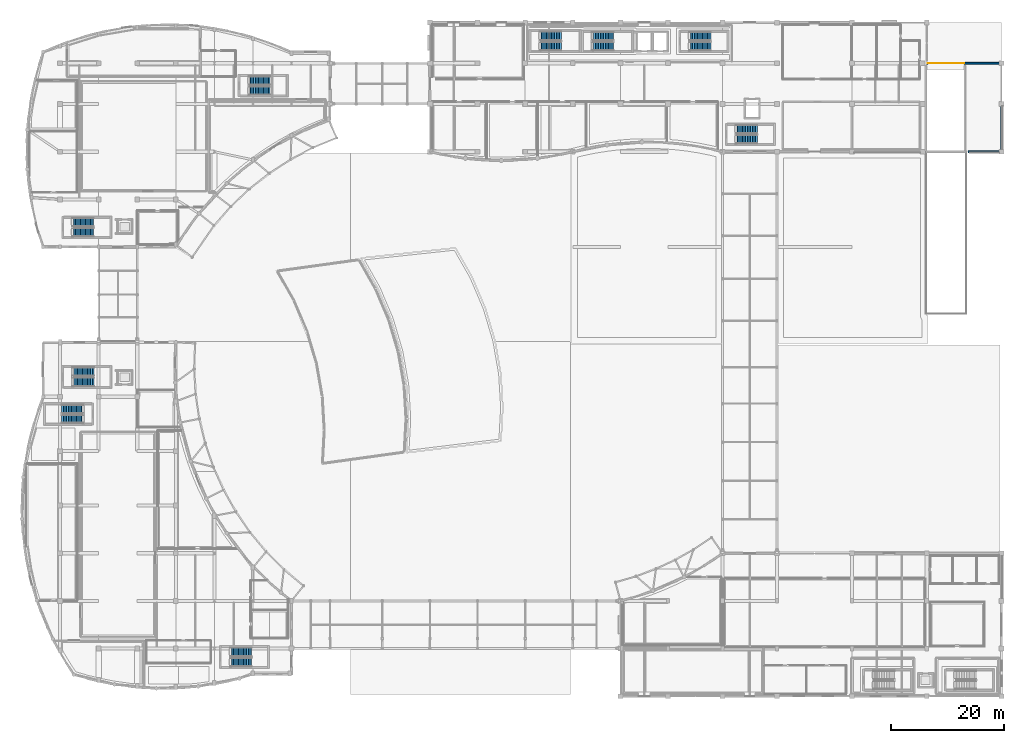
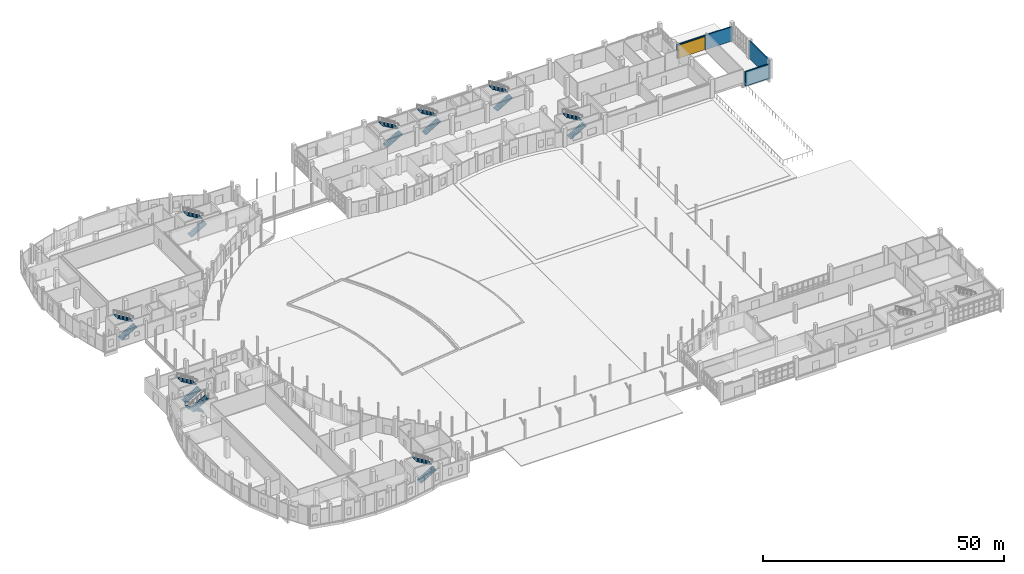
# One storey, part 73 of 97: 18 stair flights, 3 walls, 1 door, 1 opening, 9 elements without a shape of their own.
"""IFC4 building model written with IfcOpenShell, lengths in metres."""

from ifc_helpers import new_model, si_unit, direction, frame, frame_2d, origin, place, context, subcontext, project, spatial, polyline, rectangle, outline, extrude, material, layer, layer_set, type_object, element, fill, aggregate, save


model = new_model("IFC4")

# Units and contexts
model_context = context("Model", 3, precision=1e-05, world=origin(), true_north=direction((0.0, 1.0)))
body_context = subcontext(model_context, "Body", "Model", "MODEL_VIEW")
ifc_project = project(units=[si_unit("LENGTHUNIT", "METRE"), si_unit("AREAUNIT", "SQUARE_METRE"), si_unit("VOLUMEUNIT", "CUBIC_METRE"), si_unit("PLANEANGLEUNIT", "RADIAN"), si_unit("MASSUNIT", "GRAM", prefix="KILO")], contexts=[model_context])

# Site, building, storey
site_placement = place(None, origin())
site = spatial("IfcSite", under=ifc_project, at=site_placement, CompositionType="ELEMENT")
building_placement = place(site_placement, origin())
building = spatial("IfcBuilding", under=site, at=building_placement, Name="Kisaragi Civic Commons", CompositionType="ELEMENT")
storey_placement = place(building_placement, origin())
storey = spatial("IfcBuildingStorey", under=building, at=storey_placement, Name="L00", CompositionType="ELEMENT", Elevation=0.0)

# Wall, opening, door
ifc_material_1 = material(Name="Insulated Tokoname terracotta cavity wall", Category="masonry")
ifc_layer = layer(ifc_material_1, 0.31005859375, Name="Insulated Tokoname terracotta cavity wall", Category="masonry")
ifc_layer_set = layer_set([ifc_layer], Name="Insulated Tokoname terracotta cavity wall")
wall_type = type_object("IfcWallType", Name="EW-05", PredefinedType="STANDARD", material=ifc_layer_set)
wall_1_placement = place(storey_placement, frame((159.60009765625, 111.60009765625, 0.0), z_axis=(0.0, 0.0, 1.0), x_axis=(1.0, 0.0, 0.0)))
wall_1 = element("IfcWall", 1, at=wall_1_placement, inside=storey, type_object=wall_type, Name="V4 L00 exterior terracotta wall EW-05 283", PredefinedType="STANDARD", context=body_context, shape_type="SweptSolid", body=[
    extrude(rectangle(XDim=13.199951171875, YDim=0.31005859375, at=frame_2d((6.60009765625, 0.0))), origin(), (0.0, 0.0, 1.0), 3.64990234375),
])
opening_placement = place(wall_1_placement, frame((0.14990234375, 0.0, 0.0)))
opening = element("IfcOpeningElement", 2, at=opening_placement, cuts=wall_1, Name="Opening VG-01", PredefinedType="OPENING", context=body_context, shape_type="SweptSolid", body=[
    extrude(rectangle(XDim=6.5, YDim=3.39990234375, at=frame_2d((3.25, 1.699951171875))), frame((0.0, 0.1650390625, 0.0), z_axis=(0.0, -1.0, 0.0), x_axis=(1.0, 0.0, 0.0)), (0.0, 0.0, 1.0), 0.330078125),
])
ifc_material_2 = material(Name="Galvanized steel insulated rolling shutter", Category="steel")
door_type = type_object("IfcDoorType", Name="VG-01", OperationType="NOTDEFINED", PredefinedType="GATE", material=ifc_material_2)
door_placement = place(opening_placement, origin())
door = element("IfcDoor", 3, at=door_placement, inside=storey, type_object=door_type, Name="Basement car park roller shutter gate VG-01", OperationType="ROLLINGUP", OverallHeight=3.39990234375, OverallWidth=6.5, PredefinedType="GATE", context=body_context, shape_type="SweptSolid", body=[
    extrude(rectangle(XDim=6.5, YDim=3.39990234375, at=frame_2d((3.25, 1.699951171875))), frame((0.0, 0.02490234375, 0.0), z_axis=(0.0, -1.0, 0.0), x_axis=(1.0, 0.0, 0.0)), (0.0, 0.0, 1.0), 0.050048828125),
])
fill(opening, door)

# Walls
wall_2_placement = place(storey_placement, frame((172.800048828125, 104.39990234375, 0.0), z_axis=(0.0, 0.0, 1.0), x_axis=(0.0, -1.0, 0.0)))
element("IfcWall", 4, at=wall_2_placement, inside=storey, type_object=wall_type, Name="V4 L00 exterior terracotta wall EW-05 284", PredefinedType="STANDARD", context=body_context, shape_type="SweptSolid", body=[
    extrude(rectangle(XDim=8.39990234375, YDim=0.31005859375, at=frame_2d((4.199951171875, 0.0))), origin(), (0.0, 0.0, 1.0), 4.52001953125),
])
wall_3_placement = place(storey_placement, frame((172.800048828125, 96.0, 0.0), z_axis=(0.0, 0.0, 1.0), x_axis=(-1.0, 0.0, 0.0)))
element("IfcWall", 5, at=wall_3_placement, inside=storey, type_object=wall_type, Name="V4 L00 exterior terracotta wall EW-05 285", PredefinedType="STANDARD", context=body_context, shape_type="SweptSolid", body=[
    extrude(rectangle(XDim=5.900146484375, YDim=0.31005859375, at=frame_2d((2.9501953125, 0.0))), origin(), (0.0, 0.0, 1.0), 3.669921875),
])

# Stair, stair flights
ifc_material_3 = material(Name="Concrete Fc30", Category="concrete")
stair_type_1 = type_object("IfcStairType", Name="ST-A", PredefinedType="HALF_TURN_STAIR", material=ifc_material_3)
stair_1_placement = place(storey_placement, origin())
stair_1 = element("IfcStair", 6, at=stair_1_placement, inside=storey, type_object=stair_type_1, Name="L00 Stair ST-L1", PredefinedType="HALF_TURN_STAIR")
stair_flight_type_1 = type_object("IfcStairFlightType", Name="STF-A", PredefinedType="STRAIGHT", material=ifc_material_3)
stair_flight_1_placement = place(storey_placement, frame((100.60009765625, 114.574951171875, 0.0), z_axis=(0.0, 0.0, 1.0), x_axis=(1.0, 0.0, 0.0)))
stair_flight_1 = element("IfcStairFlight", 7, at=stair_flight_1_placement, type_object=stair_flight_type_1, Name="ST-L1 flight 1", NumberOfRisers=14, NumberOfTreads=13, PredefinedType="STRAIGHT", RiserHeight=0.171428571, TreadLength=0.29, context=body_context, shape_type="SweptSolid", body=[
    extrude(outline(polyline([(0.0, 0.0), (0.0, 0.17138671875), (0.2900390625, 0.17138671875), (0.2900390625, 0.3427734375), (0.580078125, 0.3427734375), (0.580078125, 0.514404296875), (0.8701171875, 0.514404296875), (0.8701171875, 0.685791015625), (1.159912109375, 0.685791015625), (1.159912109375, 0.857177734375), (1.449951171875, 0.857177734375), (1.449951171875, 1.028564453125), (1.739990234375, 1.028564453125), (1.739990234375, 1.199951171875), (2.030029296875, 1.199951171875), (2.030029296875, 1.371337890625), (2.320068359375, 1.371337890625), (2.320068359375, 1.54296875), (2.610107421875, 1.54296875), (2.610107421875, 1.71435546875), (2.89990234375, 1.71435546875), (2.89990234375, 1.8857421875), (3.18994140625, 1.8857421875), (3.18994140625, 2.05712890625), (3.47998046875, 2.05712890625), (3.47998046875, 2.228515625), (3.77001953125, 2.228515625), (3.77001953125, 2.39990234375), (3.77001953125, 2.01953125), (0.353515625, 0.0), (0.0, 0.0)])), frame((0.0, 0.77490234375, 0.0), z_axis=(0.0, -1.0, 0.0), x_axis=(1.0, 0.0, 0.0)), (0.0, 0.0, 1.0), 1.550048828125),
])
stair_flight_2_placement = place(storey_placement, frame((104.3701171875, 116.324951171875, 2.39990234375), z_axis=(0.0, 0.0, 1.0), x_axis=(-1.0, 0.0, 0.0)))
stair_flight_2 = element("IfcStairFlight", 8, at=stair_flight_2_placement, type_object=stair_flight_type_1, Name="ST-L1 flight 2", NumberOfRisers=14, NumberOfTreads=13, PredefinedType="STRAIGHT", RiserHeight=0.171428571, TreadLength=0.29, context=body_context, shape_type="SweptSolid", body=[
    extrude(outline(polyline([(0.0, 0.0), (0.0, 0.17138671875), (0.2900390625, 0.17138671875), (0.2900390625, 0.3427734375), (0.580078125, 0.3427734375), (0.580078125, 0.514404296875), (0.8701171875, 0.514404296875), (0.8701171875, 0.685791015625), (1.159912109375, 0.685791015625), (1.159912109375, 0.857177734375), (1.449951171875, 0.857177734375), (1.449951171875, 1.028564453125), (1.739990234375, 1.028564453125), (1.739990234375, 1.199951171875), (2.030029296875, 1.199951171875), (2.030029296875, 1.371337890625), (2.320068359375, 1.371337890625), (2.320068359375, 1.54296875), (2.610107421875, 1.54296875), (2.610107421875, 1.71435546875), (2.89990234375, 1.71435546875), (2.89990234375, 1.8857421875), (3.18994140625, 1.8857421875), (3.18994140625, 2.05712890625), (3.47998046875, 2.05712890625), (3.47998046875, 2.228515625), (3.77001953125, 2.228515625), (3.77001953125, 2.39990234375), (3.77001953125, 2.01953125), (0.353515625, 0.0), (0.0, 0.0)])), frame((0.0, 0.77490234375, 0.0), z_axis=(0.0, -1.0, 0.0), x_axis=(1.0, 0.0, 0.0)), (0.0, 0.0, 1.0), 1.550048828125),
])
aggregate(stair_1, [stair_flight_1, stair_flight_2])

stair_2_placement = place(storey_placement, origin())
stair_2 = element("IfcStair", 9, at=stair_2_placement, inside=storey, type_object=stair_type_1, Name="L00 Stair ST-L2", PredefinedType="HALF_TURN_STAIR")
stair_flight_3_placement = place(storey_placement, frame((117.75, 114.574951171875, 0.0), z_axis=(0.0, 0.0, 1.0), x_axis=(1.0, 0.0, 0.0)))
stair_flight_3 = element("IfcStairFlight", 10, at=stair_flight_3_placement, type_object=stair_flight_type_1, Name="ST-L2 flight 1", NumberOfRisers=14, NumberOfTreads=13, PredefinedType="STRAIGHT", RiserHeight=0.171428571, TreadLength=0.29, context=body_context, shape_type="SweptSolid", body=[
    extrude(outline(polyline([(0.0, 0.0), (0.0, 0.17138671875), (0.2900390625, 0.17138671875), (0.2900390625, 0.3427734375), (0.580078125, 0.3427734375), (0.580078125, 0.514404296875), (0.8701171875, 0.514404296875), (0.8701171875, 0.685791015625), (1.159912109375, 0.685791015625), (1.159912109375, 0.857177734375), (1.449951171875, 0.857177734375), (1.449951171875, 1.028564453125), (1.739990234375, 1.028564453125), (1.739990234375, 1.199951171875), (2.030029296875, 1.199951171875), (2.030029296875, 1.371337890625), (2.320068359375, 1.371337890625), (2.320068359375, 1.54296875), (2.610107421875, 1.54296875), (2.610107421875, 1.71435546875), (2.89990234375, 1.71435546875), (2.89990234375, 1.8857421875), (3.18994140625, 1.8857421875), (3.18994140625, 2.05712890625), (3.47998046875, 2.05712890625), (3.47998046875, 2.228515625), (3.77001953125, 2.228515625), (3.77001953125, 2.39990234375), (3.77001953125, 2.01953125), (0.353515625, 0.0), (0.0, 0.0)])), frame((0.0, 0.77490234375, 0.0), z_axis=(0.0, -1.0, 0.0), x_axis=(1.0, 0.0, 0.0)), (0.0, 0.0, 1.0), 1.550048828125),
])
stair_flight_4_placement = place(storey_placement, frame((121.52001953125, 116.324951171875, 2.39990234375), z_axis=(0.0, 0.0, 1.0), x_axis=(-1.0, 0.0, 0.0)))
stair_flight_4 = element("IfcStairFlight", 11, at=stair_flight_4_placement, type_object=stair_flight_type_1, Name="ST-L2 flight 2", NumberOfRisers=14, NumberOfTreads=13, PredefinedType="STRAIGHT", RiserHeight=0.171428571, TreadLength=0.29, context=body_context, shape_type="SweptSolid", body=[
    extrude(outline(polyline([(0.0, 0.0), (0.0, 0.17138671875), (0.2900390625, 0.17138671875), (0.2900390625, 0.3427734375), (0.580078125, 0.3427734375), (0.580078125, 0.514404296875), (0.8701171875, 0.514404296875), (0.8701171875, 0.685791015625), (1.159912109375, 0.685791015625), (1.159912109375, 0.857177734375), (1.449951171875, 0.857177734375), (1.449951171875, 1.028564453125), (1.739990234375, 1.028564453125), (1.739990234375, 1.199951171875), (2.030029296875, 1.199951171875), (2.030029296875, 1.371337890625), (2.320068359375, 1.371337890625), (2.320068359375, 1.54296875), (2.610107421875, 1.54296875), (2.610107421875, 1.71435546875), (2.89990234375, 1.71435546875), (2.89990234375, 1.8857421875), (3.18994140625, 1.8857421875), (3.18994140625, 2.05712890625), (3.47998046875, 2.05712890625), (3.47998046875, 2.228515625), (3.77001953125, 2.228515625), (3.77001953125, 2.39990234375), (3.77001953125, 2.01953125), (0.353515625, 0.0), (0.0, 0.0)])), frame((0.0, 0.77490234375, 0.0), z_axis=(0.0, -1.0, 0.0), x_axis=(1.0, 0.0, 0.0)), (0.0, 0.0, 1.0), 1.550048828125),
])
aggregate(stair_2, [stair_flight_3, stair_flight_4])

stair_3_placement = place(storey_placement, origin())
stair_3 = element("IfcStair", 12, at=stair_3_placement, inside=storey, type_object=stair_type_1, Name="L00 Stair ST-L3", PredefinedType="HALF_TURN_STAIR")
stair_flight_5_placement = place(storey_placement, frame((125.949951171875, 98.175048828125, 0.0), z_axis=(0.0, 0.0, 1.0), x_axis=(1.0, 0.0, 0.0)))
stair_flight_5 = element("IfcStairFlight", 13, at=stair_flight_5_placement, type_object=stair_flight_type_1, Name="ST-L3 flight 1", NumberOfRisers=14, NumberOfTreads=13, PredefinedType="STRAIGHT", RiserHeight=0.171428571, TreadLength=0.29, context=body_context, shape_type="SweptSolid", body=[
    extrude(outline(polyline([(0.0, 0.0), (0.0, 0.17138671875), (0.2900390625, 0.17138671875), (0.2900390625, 0.3427734375), (0.580078125, 0.3427734375), (0.580078125, 0.514404296875), (0.8701171875, 0.514404296875), (0.8701171875, 0.685791015625), (1.159912109375, 0.685791015625), (1.159912109375, 0.857177734375), (1.449951171875, 0.857177734375), (1.449951171875, 1.028564453125), (1.739990234375, 1.028564453125), (1.739990234375, 1.199951171875), (2.030029296875, 1.199951171875), (2.030029296875, 1.371337890625), (2.320068359375, 1.371337890625), (2.320068359375, 1.54296875), (2.610107421875, 1.54296875), (2.610107421875, 1.71435546875), (2.89990234375, 1.71435546875), (2.89990234375, 1.8857421875), (3.18994140625, 1.8857421875), (3.18994140625, 2.05712890625), (3.47998046875, 2.05712890625), (3.47998046875, 2.228515625), (3.77001953125, 2.228515625), (3.77001953125, 2.39990234375), (3.77001953125, 2.01953125), (0.353515625, 0.0), (0.0, 0.0)])), frame((0.0, 0.77490234375, 0.0), z_axis=(0.0, -1.0, 0.0), x_axis=(1.0, 0.0, 0.0)), (0.0, 0.0, 1.0), 1.550048828125),
])
stair_flight_6_placement = place(storey_placement, frame((129.719970703125, 99.925048828125, 2.39990234375), z_axis=(0.0, 0.0, 1.0), x_axis=(-1.0, 0.0, 0.0)))
stair_flight_6 = element("IfcStairFlight", 14, at=stair_flight_6_placement, type_object=stair_flight_type_1, Name="ST-L3 flight 2", NumberOfRisers=14, NumberOfTreads=13, PredefinedType="STRAIGHT", RiserHeight=0.171428571, TreadLength=0.29, context=body_context, shape_type="SweptSolid", body=[
    extrude(outline(polyline([(0.0, 0.0), (0.0, 0.17138671875), (0.2900390625, 0.17138671875), (0.2900390625, 0.3427734375), (0.580078125, 0.3427734375), (0.580078125, 0.514404296875), (0.8701171875, 0.514404296875), (0.8701171875, 0.685791015625), (1.159912109375, 0.685791015625), (1.159912109375, 0.857177734375), (1.449951171875, 0.857177734375), (1.449951171875, 1.028564453125), (1.739990234375, 1.028564453125), (1.739990234375, 1.199951171875), (2.030029296875, 1.199951171875), (2.030029296875, 1.371337890625), (2.320068359375, 1.371337890625), (2.320068359375, 1.54296875), (2.610107421875, 1.54296875), (2.610107421875, 1.71435546875), (2.89990234375, 1.71435546875), (2.89990234375, 1.8857421875), (3.18994140625, 1.8857421875), (3.18994140625, 2.05712890625), (3.47998046875, 2.05712890625), (3.47998046875, 2.228515625), (3.77001953125, 2.228515625), (3.77001953125, 2.39990234375), (3.77001953125, 2.01953125), (0.353515625, 0.0), (0.0, 0.0)])), frame((0.0, 0.77490234375, 0.0), z_axis=(0.0, -1.0, 0.0), x_axis=(1.0, 0.0, 0.0)), (0.0, 0.0, 1.0), 1.550048828125),
])
aggregate(stair_3, [stair_flight_5, stair_flight_6])

stair_4_placement = place(storey_placement, origin())
stair_4 = element("IfcStair", 15, at=stair_4_placement, inside=storey, type_object=stair_type_1, Name="L00 Stair ST-M3", PredefinedType="HALF_TURN_STAIR")
stair_flight_7_placement = place(storey_placement, frame((10.85009765625, 50.625, 0.0), z_axis=(0.0, 0.0, 1.0), x_axis=(-1.0, 0.0, 0.0)))
stair_flight_7 = element("IfcStairFlight", 16, at=stair_flight_7_placement, type_object=stair_flight_type_1, Name="ST-M3 flight 1", NumberOfRisers=14, NumberOfTreads=13, PredefinedType="STRAIGHT", RiserHeight=0.171428571, TreadLength=0.29, context=body_context, shape_type="SweptSolid", body=[
    extrude(outline(polyline([(0.0, 0.0), (0.0, 0.17138671875), (0.2900390625, 0.17138671875), (0.2900390625, 0.3427734375), (0.580078125, 0.3427734375), (0.580078125, 0.514404296875), (0.8701171875, 0.514404296875), (0.8701171875, 0.685791015625), (1.159912109375, 0.685791015625), (1.159912109375, 0.857177734375), (1.449951171875, 0.857177734375), (1.449951171875, 1.028564453125), (1.739990234375, 1.028564453125), (1.739990234375, 1.199951171875), (2.030029296875, 1.199951171875), (2.030029296875, 1.371337890625), (2.320068359375, 1.371337890625), (2.320068359375, 1.54296875), (2.610107421875, 1.54296875), (2.610107421875, 1.71435546875), (2.89990234375, 1.71435546875), (2.89990234375, 1.8857421875), (3.18994140625, 1.8857421875), (3.18994140625, 2.05712890625), (3.47998046875, 2.05712890625), (3.47998046875, 2.228515625), (3.77001953125, 2.228515625), (3.77001953125, 2.39990234375), (3.77001953125, 2.01953125), (0.353515625, 0.0), (0.0, 0.0)])), frame((0.0, 0.77490234375, 0.0), z_axis=(0.0, -1.0, 0.0), x_axis=(1.0, 0.0, 0.0)), (0.0, 0.0, 1.0), 1.550048828125),
])
stair_flight_8_placement = place(storey_placement, frame((7.080078125, 48.875, 2.39990234375), z_axis=(0.0, 0.0, 1.0), x_axis=(1.0, 0.0, 0.0)))
stair_flight_8 = element("IfcStairFlight", 17, at=stair_flight_8_placement, type_object=stair_flight_type_1, Name="ST-M3 flight 2", NumberOfRisers=14, NumberOfTreads=13, PredefinedType="STRAIGHT", RiserHeight=0.171428571, TreadLength=0.29, context=body_context, shape_type="SweptSolid", body=[
    extrude(outline(polyline([(0.0, 0.0), (0.0, 0.17138671875), (0.2900390625, 0.17138671875), (0.2900390625, 0.3427734375), (0.580078125, 0.3427734375), (0.580078125, 0.514404296875), (0.8701171875, 0.514404296875), (0.8701171875, 0.685791015625), (1.159912109375, 0.685791015625), (1.159912109375, 0.857177734375), (1.449951171875, 0.857177734375), (1.449951171875, 1.028564453125), (1.739990234375, 1.028564453125), (1.739990234375, 1.199951171875), (2.030029296875, 1.199951171875), (2.030029296875, 1.371337890625), (2.320068359375, 1.371337890625), (2.320068359375, 1.54296875), (2.610107421875, 1.54296875), (2.610107421875, 1.71435546875), (2.89990234375, 1.71435546875), (2.89990234375, 1.8857421875), (3.18994140625, 1.8857421875), (3.18994140625, 2.05712890625), (3.47998046875, 2.05712890625), (3.47998046875, 2.228515625), (3.77001953125, 2.228515625), (3.77001953125, 2.39990234375), (3.77001953125, 2.01953125), (0.353515625, 0.0), (0.0, 0.0)])), frame((0.0, 0.77490234375, 0.0), z_axis=(0.0, -1.0, 0.0), x_axis=(1.0, 0.0, 0.0)), (0.0, 0.0, 1.0), 1.550048828125),
])
aggregate(stair_4, [stair_flight_7, stair_flight_8])

stair_5_placement = place(storey_placement, origin())
stair_5 = element("IfcStair", 18, at=stair_5_placement, inside=storey, type_object=stair_type_1, Name="L00 Stair ST-S1", PredefinedType="HALF_TURN_STAIR")
stair_flight_9_placement = place(storey_placement, frame((8.949951171875, 81.77490234375, 0.0), z_axis=(0.0, 0.0, 1.0), x_axis=(1.0, 0.0, 0.0)))
stair_flight_9 = element("IfcStairFlight", 19, at=stair_flight_9_placement, type_object=stair_flight_type_1, Name="ST-S1 flight 1", NumberOfRisers=14, NumberOfTreads=13, PredefinedType="STRAIGHT", RiserHeight=0.171428571, TreadLength=0.29, context=body_context, shape_type="SweptSolid", body=[
    extrude(outline(polyline([(0.0, 0.0), (0.0, 0.17138671875), (0.2900390625, 0.17138671875), (0.2900390625, 0.3427734375), (0.580078125, 0.3427734375), (0.580078125, 0.514404296875), (0.8701171875, 0.514404296875), (0.8701171875, 0.685791015625), (1.159912109375, 0.685791015625), (1.159912109375, 0.857177734375), (1.449951171875, 0.857177734375), (1.449951171875, 1.028564453125), (1.739990234375, 1.028564453125), (1.739990234375, 1.199951171875), (2.030029296875, 1.199951171875), (2.030029296875, 1.371337890625), (2.320068359375, 1.371337890625), (2.320068359375, 1.54296875), (2.610107421875, 1.54296875), (2.610107421875, 1.71435546875), (2.89990234375, 1.71435546875), (2.89990234375, 1.8857421875), (3.18994140625, 1.8857421875), (3.18994140625, 2.05712890625), (3.47998046875, 2.05712890625), (3.47998046875, 2.228515625), (3.77001953125, 2.228515625), (3.77001953125, 2.39990234375), (3.77001953125, 2.01953125), (0.353515625, 0.0), (0.0, 0.0)])), frame((0.0, 0.77490234375, 0.0), z_axis=(0.0, -1.0, 0.0), x_axis=(1.0, 0.0, 0.0)), (0.0, 0.0, 1.0), 1.550048828125),
])
stair_flight_10_placement = place(storey_placement, frame((12.719970703125, 83.52490234375, 2.39990234375), z_axis=(0.0, 0.0, 1.0), x_axis=(-1.0, 0.0, 0.0)))
stair_flight_10 = element("IfcStairFlight", 20, at=stair_flight_10_placement, type_object=stair_flight_type_1, Name="ST-S1 flight 2", NumberOfRisers=14, NumberOfTreads=13, PredefinedType="STRAIGHT", RiserHeight=0.171428571, TreadLength=0.29, context=body_context, shape_type="SweptSolid", body=[
    extrude(outline(polyline([(0.0, 0.0), (0.0, 0.17138671875), (0.2900390625, 0.17138671875), (0.2900390625, 0.3427734375), (0.580078125, 0.3427734375), (0.580078125, 0.514404296875), (0.8701171875, 0.514404296875), (0.8701171875, 0.685791015625), (1.159912109375, 0.685791015625), (1.159912109375, 0.857177734375), (1.449951171875, 0.857177734375), (1.449951171875, 1.028564453125), (1.739990234375, 1.028564453125), (1.739990234375, 1.199951171875), (2.030029296875, 1.199951171875), (2.030029296875, 1.371337890625), (2.320068359375, 1.371337890625), (2.320068359375, 1.54296875), (2.610107421875, 1.54296875), (2.610107421875, 1.71435546875), (2.89990234375, 1.71435546875), (2.89990234375, 1.8857421875), (3.18994140625, 1.8857421875), (3.18994140625, 2.05712890625), (3.47998046875, 2.05712890625), (3.47998046875, 2.228515625), (3.77001953125, 2.228515625), (3.77001953125, 2.39990234375), (3.77001953125, 2.01953125), (0.353515625, 0.0), (0.0, 0.0)])), frame((0.0, 0.77490234375, 0.0), z_axis=(0.0, -1.0, 0.0), x_axis=(1.0, 0.0, 0.0)), (0.0, 0.0, 1.0), 1.550048828125),
])
aggregate(stair_5, [stair_flight_9, stair_flight_10])

stair_6_placement = place(storey_placement, origin())
stair_6 = element("IfcStair", 21, at=stair_6_placement, inside=storey, type_object=stair_type_1, Name="L00 Stair ST-S2", PredefinedType="HALF_TURN_STAIR")
stair_flight_11_placement = place(storey_placement, frame((40.050048828125, 106.77490234375, 0.0), z_axis=(0.0, 0.0, 1.0), x_axis=(1.0, 0.0, 0.0)))
stair_flight_11 = element("IfcStairFlight", 22, at=stair_flight_11_placement, type_object=stair_flight_type_1, Name="ST-S2 flight 1", NumberOfRisers=14, NumberOfTreads=13, PredefinedType="STRAIGHT", RiserHeight=0.171428571, TreadLength=0.29, context=body_context, shape_type="SweptSolid", body=[
    extrude(outline(polyline([(0.0, 0.0), (0.0, 0.17138671875), (0.2900390625, 0.17138671875), (0.2900390625, 0.3427734375), (0.580078125, 0.3427734375), (0.580078125, 0.514404296875), (0.8701171875, 0.514404296875), (0.8701171875, 0.685791015625), (1.159912109375, 0.685791015625), (1.159912109375, 0.857177734375), (1.449951171875, 0.857177734375), (1.449951171875, 1.028564453125), (1.739990234375, 1.028564453125), (1.739990234375, 1.199951171875), (2.030029296875, 1.199951171875), (2.030029296875, 1.371337890625), (2.320068359375, 1.371337890625), (2.320068359375, 1.54296875), (2.610107421875, 1.54296875), (2.610107421875, 1.71435546875), (2.89990234375, 1.71435546875), (2.89990234375, 1.8857421875), (3.18994140625, 1.8857421875), (3.18994140625, 2.05712890625), (3.47998046875, 2.05712890625), (3.47998046875, 2.228515625), (3.77001953125, 2.228515625), (3.77001953125, 2.39990234375), (3.77001953125, 2.01953125), (0.353515625, 0.0), (0.0, 0.0)])), frame((0.0, 0.77490234375, 0.0), z_axis=(0.0, -1.0, 0.0), x_axis=(1.0, 0.0, 0.0)), (0.0, 0.0, 1.0), 1.550048828125),
])
stair_flight_12_placement = place(storey_placement, frame((43.820068359375, 108.52490234375, 2.39990234375), z_axis=(0.0, 0.0, 1.0), x_axis=(-1.0, 0.0, 0.0)))
stair_flight_12 = element("IfcStairFlight", 23, at=stair_flight_12_placement, type_object=stair_flight_type_1, Name="ST-S2 flight 2", NumberOfRisers=14, NumberOfTreads=13, PredefinedType="STRAIGHT", RiserHeight=0.171428571, TreadLength=0.29, context=body_context, shape_type="SweptSolid", body=[
    extrude(outline(polyline([(0.0, 0.0), (0.0, 0.17138671875), (0.2900390625, 0.17138671875), (0.2900390625, 0.3427734375), (0.580078125, 0.3427734375), (0.580078125, 0.514404296875), (0.8701171875, 0.514404296875), (0.8701171875, 0.685791015625), (1.159912109375, 0.685791015625), (1.159912109375, 0.857177734375), (1.449951171875, 0.857177734375), (1.449951171875, 1.028564453125), (1.739990234375, 1.028564453125), (1.739990234375, 1.199951171875), (2.030029296875, 1.199951171875), (2.030029296875, 1.371337890625), (2.320068359375, 1.371337890625), (2.320068359375, 1.54296875), (2.610107421875, 1.54296875), (2.610107421875, 1.71435546875), (2.89990234375, 1.71435546875), (2.89990234375, 1.8857421875), (3.18994140625, 1.8857421875), (3.18994140625, 2.05712890625), (3.47998046875, 2.05712890625), (3.47998046875, 2.228515625), (3.77001953125, 2.228515625), (3.77001953125, 2.39990234375), (3.77001953125, 2.01953125), (0.353515625, 0.0), (0.0, 0.0)])), frame((0.0, 0.77490234375, 0.0), z_axis=(0.0, -1.0, 0.0), x_axis=(1.0, 0.0, 0.0)), (0.0, 0.0, 1.0), 1.550048828125),
])
aggregate(stair_6, [stair_flight_11, stair_flight_12])

stair_type_2 = type_object("IfcStairType", Name="ST-B", PredefinedType="HALF_TURN_STAIR", material=ifc_material_3)
stair_7_placement = place(storey_placement, origin())
stair_7 = element("IfcStair", 24, at=stair_7_placement, inside=storey, type_object=stair_type_2, Name="L00 Stair ST-L4", PredefinedType="HALF_TURN_STAIR")
stair_flight_type_2 = type_object("IfcStairFlightType", Name="STF-B", PredefinedType="STRAIGHT", material=ifc_material_3)
stair_flight_13_placement = place(storey_placement, frame((91.39990234375, 114.60009765625, 0.0), z_axis=(0.0, 0.0, 1.0), x_axis=(1.0, 0.0, 0.0)))
stair_flight_13 = element("IfcStairFlight", 25, at=stair_flight_13_placement, type_object=stair_flight_type_2, Name="ST-L4 flight 1", NumberOfRisers=14, NumberOfTreads=13, PredefinedType="STRAIGHT", RiserHeight=0.171428571, TreadLength=0.29, context=body_context, shape_type="SweptSolid", body=[
    extrude(outline(polyline([(0.0, 0.0), (0.0, 0.17138671875), (0.2900390625, 0.17138671875), (0.2900390625, 0.3427734375), (0.580078125, 0.3427734375), (0.580078125, 0.514404296875), (0.8701171875, 0.514404296875), (0.8701171875, 0.685791015625), (1.159912109375, 0.685791015625), (1.159912109375, 0.857177734375), (1.449951171875, 0.857177734375), (1.449951171875, 1.028564453125), (1.739990234375, 1.028564453125), (1.739990234375, 1.199951171875), (2.030029296875, 1.199951171875), (2.030029296875, 1.371337890625), (2.320068359375, 1.371337890625), (2.320068359375, 1.54296875), (2.610107421875, 1.54296875), (2.610107421875, 1.71435546875), (2.89990234375, 1.71435546875), (2.89990234375, 1.8857421875), (3.18994140625, 1.8857421875), (3.18994140625, 2.05712890625), (3.47998046875, 2.05712890625), (3.47998046875, 2.228515625), (3.77001953125, 2.228515625), (3.77001953125, 2.39990234375), (3.77001953125, 2.01953125), (0.353515625, 0.0), (0.0, 0.0)])), frame((0.0, 0.800048828125, 0.0), z_axis=(0.0, -1.0, 0.0), x_axis=(1.0, 0.0, 0.0)), (0.0, 0.0, 1.0), 1.60009765625),
])
stair_flight_14_placement = place(storey_placement, frame((95.169921875, 116.39990234375, 2.39990234375), z_axis=(0.0, 0.0, 1.0), x_axis=(-1.0, 0.0, 0.0)))
stair_flight_14 = element("IfcStairFlight", 26, at=stair_flight_14_placement, type_object=stair_flight_type_2, Name="ST-L4 flight 2", NumberOfRisers=14, NumberOfTreads=13, PredefinedType="STRAIGHT", RiserHeight=0.171428571, TreadLength=0.29, context=body_context, shape_type="SweptSolid", body=[
    extrude(outline(polyline([(0.0, 0.0), (0.0, 0.17138671875), (0.2900390625, 0.17138671875), (0.2900390625, 0.3427734375), (0.580078125, 0.3427734375), (0.580078125, 0.514404296875), (0.8701171875, 0.514404296875), (0.8701171875, 0.685791015625), (1.159912109375, 0.685791015625), (1.159912109375, 0.857177734375), (1.449951171875, 0.857177734375), (1.449951171875, 1.028564453125), (1.739990234375, 1.028564453125), (1.739990234375, 1.199951171875), (2.030029296875, 1.199951171875), (2.030029296875, 1.371337890625), (2.320068359375, 1.371337890625), (2.320068359375, 1.54296875), (2.610107421875, 1.54296875), (2.610107421875, 1.71435546875), (2.89990234375, 1.71435546875), (2.89990234375, 1.8857421875), (3.18994140625, 1.8857421875), (3.18994140625, 2.05712890625), (3.47998046875, 2.05712890625), (3.47998046875, 2.228515625), (3.77001953125, 2.228515625), (3.77001953125, 2.39990234375), (3.77001953125, 2.01953125), (0.353515625, 0.0), (0.0, 0.0)])), frame((0.0, 0.800048828125, 0.0), z_axis=(0.0, -1.0, 0.0), x_axis=(1.0, 0.0, 0.0)), (0.0, 0.0, 1.0), 1.60009765625),
])
aggregate(stair_7, [stair_flight_13, stair_flight_14])

stair_8_placement = place(storey_placement, origin())
stair_8 = element("IfcStair", 27, at=stair_8_placement, inside=storey, type_object=stair_type_2, Name="L00 Stair ST-M1", PredefinedType="HALF_TURN_STAIR")
stair_flight_15_placement = place(storey_placement, frame((9.0, 55.39990234375, 0.0), z_axis=(0.0, 0.0, 1.0), x_axis=(1.0, 0.0, 0.0)))
stair_flight_15 = element("IfcStairFlight", 28, at=stair_flight_15_placement, type_object=stair_flight_type_2, Name="ST-M1 flight 1", NumberOfRisers=14, NumberOfTreads=13, PredefinedType="STRAIGHT", RiserHeight=0.171428571, TreadLength=0.29, context=body_context, shape_type="SweptSolid", body=[
    extrude(outline(polyline([(0.0, 0.0), (0.0, 0.17138671875), (0.2900390625, 0.17138671875), (0.2900390625, 0.3427734375), (0.580078125, 0.3427734375), (0.580078125, 0.514404296875), (0.8701171875, 0.514404296875), (0.8701171875, 0.685791015625), (1.159912109375, 0.685791015625), (1.159912109375, 0.857177734375), (1.449951171875, 0.857177734375), (1.449951171875, 1.028564453125), (1.739990234375, 1.028564453125), (1.739990234375, 1.199951171875), (2.030029296875, 1.199951171875), (2.030029296875, 1.371337890625), (2.320068359375, 1.371337890625), (2.320068359375, 1.54296875), (2.610107421875, 1.54296875), (2.610107421875, 1.71435546875), (2.89990234375, 1.71435546875), (2.89990234375, 1.8857421875), (3.18994140625, 1.8857421875), (3.18994140625, 2.05712890625), (3.47998046875, 2.05712890625), (3.47998046875, 2.228515625), (3.77001953125, 2.228515625), (3.77001953125, 2.39990234375), (3.77001953125, 2.01953125), (0.353515625, 0.0), (0.0, 0.0)])), frame((0.0, 0.800048828125, 0.0), z_axis=(0.0, -1.0, 0.0), x_axis=(1.0, 0.0, 0.0)), (0.0, 0.0, 1.0), 1.60009765625),
])
stair_flight_16_placement = place(storey_placement, frame((12.77001953125, 57.199951171875, 2.39990234375), z_axis=(0.0, 0.0, 1.0), x_axis=(-1.0, 0.0, 0.0)))
stair_flight_16 = element("IfcStairFlight", 29, at=stair_flight_16_placement, type_object=stair_flight_type_2, Name="ST-M1 flight 2", NumberOfRisers=14, NumberOfTreads=13, PredefinedType="STRAIGHT", RiserHeight=0.171428571, TreadLength=0.29, context=body_context, shape_type="SweptSolid", body=[
    extrude(outline(polyline([(0.0, 0.0), (0.0, 0.17138671875), (0.2900390625, 0.17138671875), (0.2900390625, 0.3427734375), (0.580078125, 0.3427734375), (0.580078125, 0.514404296875), (0.8701171875, 0.514404296875), (0.8701171875, 0.685791015625), (1.159912109375, 0.685791015625), (1.159912109375, 0.857177734375), (1.449951171875, 0.857177734375), (1.449951171875, 1.028564453125), (1.739990234375, 1.028564453125), (1.739990234375, 1.199951171875), (2.030029296875, 1.199951171875), (2.030029296875, 1.371337890625), (2.320068359375, 1.371337890625), (2.320068359375, 1.54296875), (2.610107421875, 1.54296875), (2.610107421875, 1.71435546875), (2.89990234375, 1.71435546875), (2.89990234375, 1.8857421875), (3.18994140625, 1.8857421875), (3.18994140625, 2.05712890625), (3.47998046875, 2.05712890625), (3.47998046875, 2.228515625), (3.77001953125, 2.228515625), (3.77001953125, 2.39990234375), (3.77001953125, 2.01953125), (0.353515625, 0.0), (0.0, 0.0)])), frame((0.0, 0.800048828125, 0.0), z_axis=(0.0, -1.0, 0.0), x_axis=(1.0, 0.0, 0.0)), (0.0, 0.0, 1.0), 1.60009765625),
])
aggregate(stair_8, [stair_flight_15, stair_flight_16])

stair_9_placement = place(storey_placement, origin())
stair_9 = element("IfcStair", 30, at=stair_9_placement, inside=storey, type_object=stair_type_2, Name="L00 Stair ST-M2", PredefinedType="HALF_TURN_STAIR")
stair_flight_17_placement = place(storey_placement, frame((36.800048828125, 6.0, 0.0), z_axis=(0.0, 0.0, 1.0), x_axis=(1.0, 0.0, 0.0)))
stair_flight_17 = element("IfcStairFlight", 31, at=stair_flight_17_placement, type_object=stair_flight_type_2, Name="ST-M2 flight 1", NumberOfRisers=14, NumberOfTreads=13, PredefinedType="STRAIGHT", RiserHeight=0.171428571, TreadLength=0.29, context=body_context, shape_type="SweptSolid", body=[
    extrude(outline(polyline([(0.0, 0.0), (0.0, 0.17138671875), (0.2900390625, 0.17138671875), (0.2900390625, 0.3427734375), (0.580078125, 0.3427734375), (0.580078125, 0.514404296875), (0.8701171875, 0.514404296875), (0.8701171875, 0.685791015625), (1.159912109375, 0.685791015625), (1.159912109375, 0.857177734375), (1.449951171875, 0.857177734375), (1.449951171875, 1.028564453125), (1.739990234375, 1.028564453125), (1.739990234375, 1.199951171875), (2.030029296875, 1.199951171875), (2.030029296875, 1.371337890625), (2.320068359375, 1.371337890625), (2.320068359375, 1.54296875), (2.610107421875, 1.54296875), (2.610107421875, 1.71435546875), (2.89990234375, 1.71435546875), (2.89990234375, 1.8857421875), (3.18994140625, 1.8857421875), (3.18994140625, 2.05712890625), (3.47998046875, 2.05712890625), (3.47998046875, 2.228515625), (3.77001953125, 2.228515625), (3.77001953125, 2.39990234375), (3.77001953125, 2.01953125), (0.353515625, 0.0), (0.0, 0.0)])), frame((0.0, 0.800048828125, 0.0), z_axis=(0.0, -1.0, 0.0), x_axis=(1.0, 0.0, 0.0)), (0.0, 0.0, 1.0), 1.60009765625),
])
stair_flight_18_placement = place(storey_placement, frame((40.570068359375, 7.800048828125, 2.39990234375), z_axis=(0.0, 0.0, 1.0), x_axis=(-1.0, 0.0, 0.0)))
stair_flight_18 = element("IfcStairFlight", 32, at=stair_flight_18_placement, type_object=stair_flight_type_2, Name="ST-M2 flight 2", NumberOfRisers=14, NumberOfTreads=13, PredefinedType="STRAIGHT", RiserHeight=0.171428571, TreadLength=0.29, context=body_context, shape_type="SweptSolid", body=[
    extrude(outline(polyline([(0.0, 0.0), (0.0, 0.17138671875), (0.2900390625, 0.17138671875), (0.2900390625, 0.3427734375), (0.580078125, 0.3427734375), (0.580078125, 0.514404296875), (0.8701171875, 0.514404296875), (0.8701171875, 0.685791015625), (1.159912109375, 0.685791015625), (1.159912109375, 0.857177734375), (1.449951171875, 0.857177734375), (1.449951171875, 1.028564453125), (1.739990234375, 1.028564453125), (1.739990234375, 1.199951171875), (2.030029296875, 1.199951171875), (2.030029296875, 1.371337890625), (2.320068359375, 1.371337890625), (2.320068359375, 1.54296875), (2.610107421875, 1.54296875), (2.610107421875, 1.71435546875), (2.89990234375, 1.71435546875), (2.89990234375, 1.8857421875), (3.18994140625, 1.8857421875), (3.18994140625, 2.05712890625), (3.47998046875, 2.05712890625), (3.47998046875, 2.228515625), (3.77001953125, 2.228515625), (3.77001953125, 2.39990234375), (3.77001953125, 2.01953125), (0.353515625, 0.0), (0.0, 0.0)])), frame((0.0, 0.800048828125, 0.0), z_axis=(0.0, -1.0, 0.0), x_axis=(1.0, 0.0, 0.0)), (0.0, 0.0, 1.0), 1.60009765625),
])
aggregate(stair_9, [stair_flight_17, stair_flight_18])

save(model, "model.ifc")
